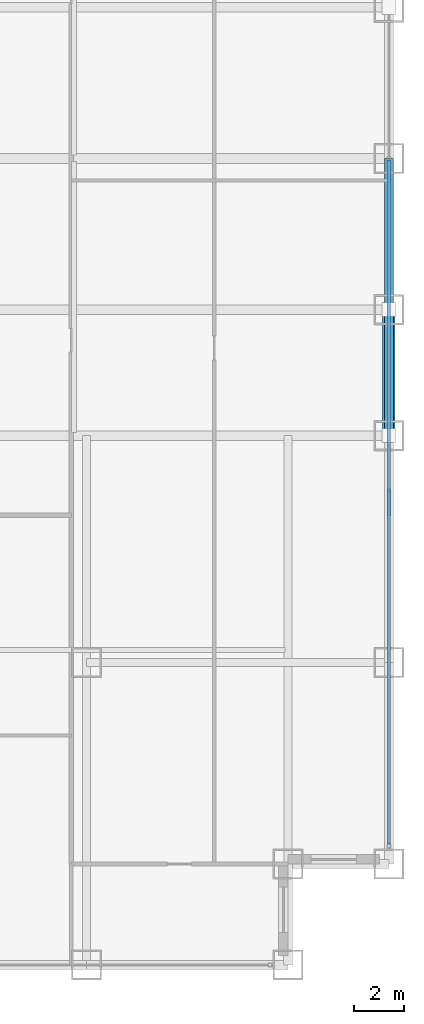
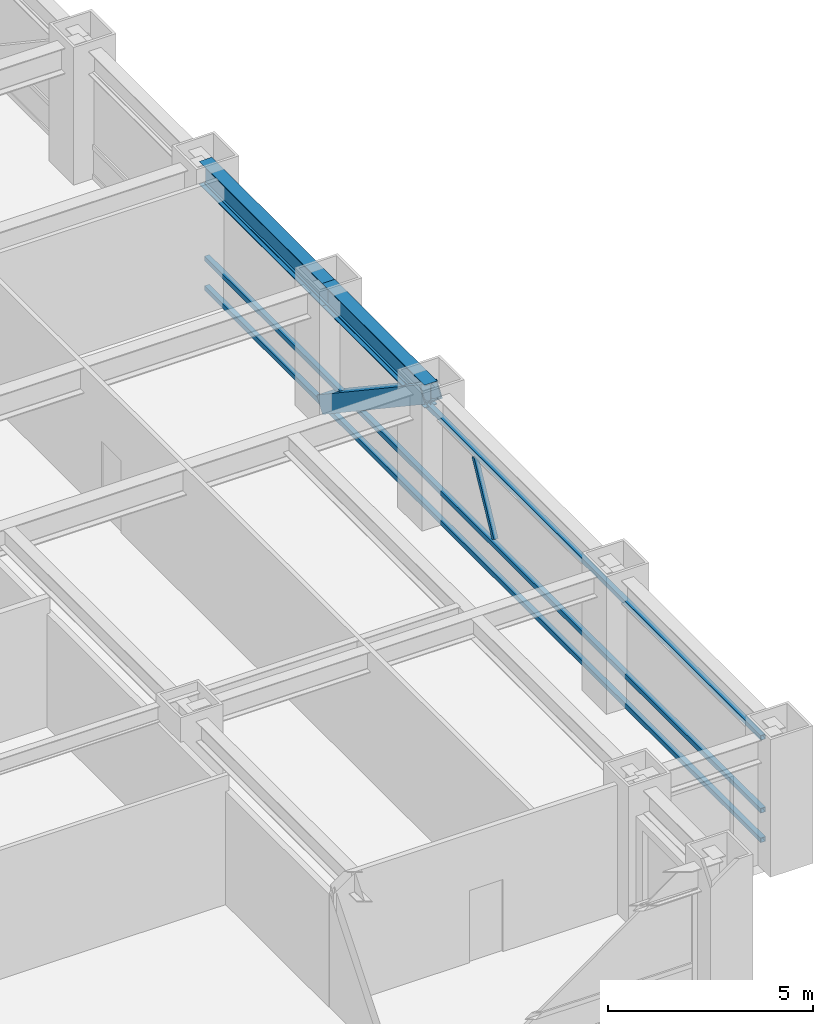
# One storey, part 13 of 28: 5 members, 2 beams, 1 element without a shape of its own.
"""IFC4 building model written with IfcOpenShell, lengths in metres."""

from ifc_helpers import new_model, si_unit, direction, frame, origin, origin_2d, place, context, subcontext, project, spatial, hollow_rectangle, i_section, extrude, source, transform, mapped, material, material_profile, profile_set, type_object, element, aggregate, save


model = new_model("IFC4")

# Units and contexts
model_context = context("Model", 3, precision=1e-05, world=origin(), true_north=direction((0.0, 1.0)))
body_context = subcontext(model_context, "Body", "Model", "MODEL_VIEW")
ifc_project = project(units=[si_unit("LENGTHUNIT", "METRE"), si_unit("AREAUNIT", "SQUARE_METRE"), si_unit("VOLUMEUNIT", "CUBIC_METRE"), si_unit("PLANEANGLEUNIT", "RADIAN"), si_unit("MASSUNIT", "GRAM", prefix="KILO")], contexts=[model_context])

# Site, building, storey
site_placement = place(None, origin())
site = spatial("IfcSite", under=ifc_project, at=site_placement, CompositionType="ELEMENT")
building_placement = place(site_placement, origin())
building = spatial("IfcBuilding", under=site, at=building_placement, Name="Khorayat Bourse Tower", CompositionType="ELEMENT")
storey_placement = place(building_placement, frame((0.0, 0.0, 116.0)))
storey = spatial("IfcBuildingStorey", under=building, at=storey_placement, Name="L26", CompositionType="ELEMENT", Elevation=116.0)

# Beams
ifc_material_1 = material(Name="Steel ASTM A992 Grade 50", Category="steel")
ifc_material_profile_1 = material_profile(ifc_material_1, i_section(OverallWidth=0.35498046875, OverallDepth=0.695068359375, WebThickness=0.015380859375, FlangeThickness=0.02490234375, FilletRadius=0.01806640625, at=origin_2d()), Name="W690X217")
ifc_profile_set_1 = profile_set([ifc_material_profile_1], Name="Steel ASTM A992 Grade 50")
beam_type = type_object("IfcBeamType", Name="BM-SPAN-690", PredefinedType="SPANDREL", material=ifc_profile_set_1)
shared_shape_1 = source(origin(), body_context, "Body", "SweptSolid", [
    extrude(i_section(OverallWidth=0.35498046875, OverallDepth=0.695068359375, WebThickness=0.015380859375, FlangeThickness=0.02490234375, FilletRadius=0.01806640625, at=origin_2d()), origin(), (0.0, 0.0, 1.0), 5.0),
])
beam_1_placement = place(storey_placement, frame((32.0, -11.0, 3.492431640625), z_axis=(0.0, 1.0, 0.0), x_axis=(-1.0, 0.0, 0.0)))
element("IfcBeam", 1, at=beam_1_placement, inside=storey, type_object=beam_type, Name="L26 BM-SPAN-690 BM-L26-SPN-036", PredefinedType="SPANDREL", context=body_context, shape_type="MappedRepresentation", body=[
    mapped(shared_shape_1, transform((0.0, 0.0, 0.0), scale=1.0)),
])
shared_shape_2 = source(origin(), body_context, "Body", "SweptSolid", [
    extrude(i_section(OverallWidth=0.35498046875, OverallDepth=0.695068359375, WebThickness=0.015380859375, FlangeThickness=0.02490234375, FilletRadius=0.01806640625, at=origin_2d()), origin(), (0.0, 0.0, 1.0), 6.0),
])
beam_2_placement = place(storey_placement, frame((32.0, -6.0, 3.492431640625), z_axis=(0.0, 1.0, 0.0), x_axis=(-1.0, 0.0, 0.0)))
element("IfcBeam", 2, at=beam_2_placement, inside=storey, type_object=beam_type, Name="L26 BM-SPAN-690 BM-L26-SPN-037", PredefinedType="SPANDREL", context=body_context, shape_type="MappedRepresentation", body=[
    mapped(shared_shape_2, transform((0.0, 0.0, 0.0), scale=1.0)),
])

# Member
ifc_material_2 = material(Name="Steel EN 10025-4 S460M", Category="steel")
ifc_material_profile_2 = material_profile(ifc_material_2, hollow_rectangle(XDim=0.5, YDim=0.5, WallThickness=0.028076171875, at=origin_2d()), Name="HSS 500x500x28")
ifc_profile_set_2 = profile_set([ifc_material_profile_2], Name="Steel EN 10025-4 S460M")
member_type_1 = type_object("IfcMemberType", Name="MBR-TUBE-500", PredefinedType="BRACE", material=ifc_profile_set_2)
shared_shape_3 = source(origin(), body_context, "Body", "SweptSolid", [
    extrude(hollow_rectangle(XDim=0.5, YDim=0.5, WallThickness=0.028076171875, at=origin_2d()), origin(), (0.0, 0.0, 1.0), 6.012939453125),
])
member_1_placement = place(storey_placement, frame((32.0, -11.0, 3.590087890625), z_axis=(0.0, 0.831531473026, -0.555477640745), x_axis=(-1.0, 0.0, 0.0)))
element("IfcMember", 3, at=member_1_placement, inside=storey, type_object=member_type_1, Name="L26 Perimeter Tube Brace 07", PredefinedType="BRACE", context=body_context, shape_type="MappedRepresentation", body=[
    mapped(shared_shape_3, transform((0.0, 0.0, 0.0), scale=1.0)),
])

# Curtain wall, members
ifc_material_3 = material(Name="Aluminium EN AW-6063 T6", Category="aluminium")
curtain_wall_type = type_object("IfcCurtainWallType", Name="CW-SYS-02", PredefinedType="NOTDEFINED", material=ifc_material_3)
curtain_wall_placement = place(storey_placement, origin())
curtain_wall = element("IfcCurtainWall", 4, at=curtain_wall_placement, inside=storey, type_object=curtain_wall_type, Name="L26 Curtain Wall CW-L26-E1", PredefinedType="NOTDEFINED")
ifc_material_profile_3 = material_profile(ifc_material_3, hollow_rectangle(XDim=0.139892578125, YDim=0.139892578125, WallThickness=0.006103515625, at=origin_2d()), Name="ALU 140x140x6")
ifc_profile_set_3 = profile_set([ifc_material_profile_3], Name="Aluminium EN AW-6063 T6")
member_type_2 = type_object("IfcMemberType", Name="CWT-HORZ-140", PredefinedType="USERDEFINED", material=ifc_profile_set_3)
shared_shape_4 = source(origin(), body_context, "Body", "SweptSolid", [
    extrude(hollow_rectangle(XDim=0.139892578125, YDim=0.139892578125, WallThickness=0.006103515625, at=origin_2d()), origin(), (0.0, 0.0, 1.0), 27.139892578125),
])
member_2_placement = place(storey_placement, frame((32.0, -27.2099609375, 0.070068359375), z_axis=(0.0, 1.0, 0.0), x_axis=(-1.0, 0.0, 0.0)))
member_2 = element("IfcMember", 5, at=member_2_placement, type_object=member_type_2, Name="CW-L26-E1 Horizontal Transom 1-1", ObjectType="TRANSOM", PredefinedType="USERDEFINED", context=body_context, shape_type="MappedRepresentation", body=[
    mapped(shared_shape_4, transform((0.0, 0.0, 0.0), scale=1.0)),
])
member_3_placement = place(storey_placement, frame((32.0, -27.2099609375, 0.949951171875), z_axis=(0.0, 1.0, 0.0), x_axis=(-1.0, 0.0, 0.0)))
member_3 = element("IfcMember", 6, at=member_3_placement, type_object=member_type_2, Name="CW-L26-E1 Horizontal Transom 1-2", ObjectType="TRANSOM", PredefinedType="USERDEFINED", context=body_context, shape_type="MappedRepresentation", body=[
    mapped(shared_shape_4, transform((0.0, 0.0, 0.0), scale=1.0)),
])
member_4_placement = place(storey_placement, frame((32.0, -27.2099609375, 3.1201171875), z_axis=(0.0, 1.0, 0.0), x_axis=(-1.0, 0.0, 0.0)))
member_4 = element("IfcMember", 7, at=member_4_placement, type_object=member_type_2, Name="CW-L26-E1 Horizontal Transom 1-3", ObjectType="TRANSOM", PredefinedType="USERDEFINED", context=body_context, shape_type="MappedRepresentation", body=[
    mapped(shared_shape_4, transform((0.0, 0.0, 0.0), scale=1.0)),
])
ifc_material_profile_4 = material_profile(ifc_material_3, hollow_rectangle(XDim=0.1201171875, YDim=0.1201171875, WallThickness=0.0048828125, at=origin_2d()), Name="ALU 120x120x5")
ifc_profile_set_4 = profile_set([ifc_material_profile_4], Name="Aluminium EN AW-6063 T6")
member_type_3 = type_object("IfcMemberType", Name="CWM-DIAG-120", PredefinedType="MULLION", material=ifc_profile_set_4)
shared_shape_5 = source(origin(), body_context, "Body", "SweptSolid", [
    extrude(hollow_rectangle(XDim=0.1201171875, YDim=0.1201171875, WallThickness=0.0048828125, at=origin_2d()), origin(), (0.0, 0.0, 1.0), 2.113037109375),
])
member_5_placement = place(storey_placement, frame((32.0, -14.132080078125, 1.10009765625), z_axis=(0.0, 0.465741670874, 0.884920728659), x_axis=(-1.0, 0.0, 0.0)))
member_5 = element("IfcMember", 8, at=member_5_placement, type_object=member_type_3, Name="CW-L26-E1 Faceted Diagonal Mullion 1", PredefinedType="MULLION", context=body_context, shape_type="MappedRepresentation", body=[
    mapped(shared_shape_5, transform((0.0, 0.0, 0.0), scale=1.0)),
])
aggregate(curtain_wall, [member_2, member_3, member_4, member_5])

save(model, "model.ifc")
